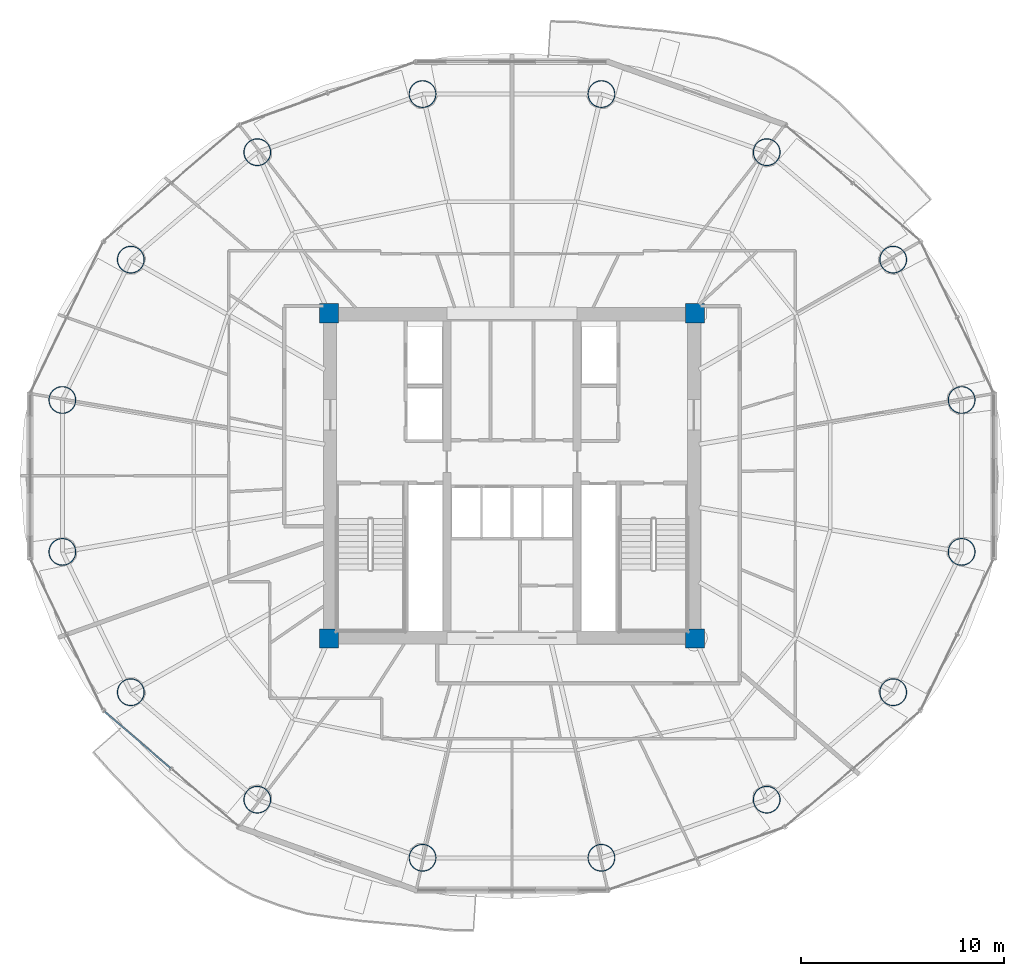
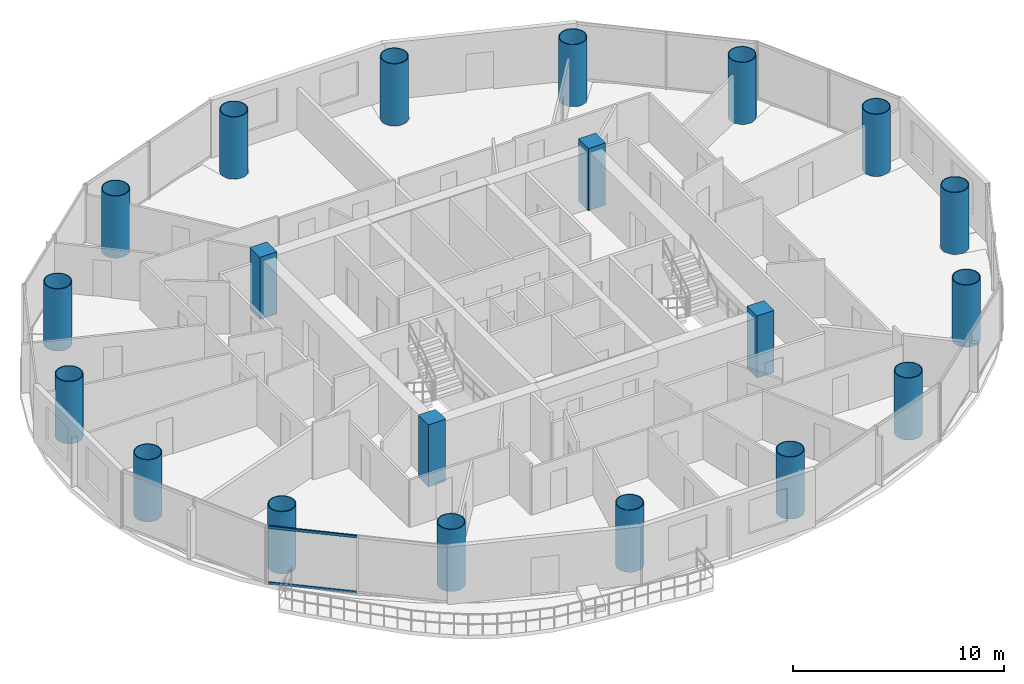
# One storey, part 1 of 27: 20 columns, 2 members, 1 element without a shape of its own.
"""IFC4 building model written with IfcOpenShell, lengths in metres."""

from ifc_helpers import new_model, si_unit, direction, frame, origin, origin_2d, place, context, subcontext, project, spatial, rectangle, hollow_rectangle, hollow_circle, extrude, source, transform, mapped, material, material_profile, profile_set, type_object, element, aggregate, save


model = new_model("IFC4")

# Units and contexts
model_context = context("Model", 3, precision=1e-05, world=origin(), true_north=direction((-0.2419218956, 0.970295726276)))
body_context = subcontext(model_context, "Body", "Model", "MODEL_VIEW")
ifc_project = project(units=[si_unit("LENGTHUNIT", "METRE"), si_unit("AREAUNIT", "SQUARE_METRE"), si_unit("VOLUMEUNIT", "CUBIC_METRE"), si_unit("PLANEANGLEUNIT", "RADIAN"), si_unit("MASSUNIT", "GRAM", prefix="KILO")], contexts=[model_context])

# Site, building, storey
site_placement = place(None, origin())
site = spatial("IfcSite", under=ifc_project, at=site_placement, CompositionType="ELEMENT")
building_placement = place(site_placement, origin())
building = spatial("IfcBuilding", under=site, at=building_placement, Name="Cobrevalo Terracotta Tower", CompositionType="ELEMENT")
storey_placement = place(building_placement, frame((0.0, 0.0, 149.800048828125)))
storey = spatial("IfcBuildingStorey", under=building, at=storey_placement, Name="L39", CompositionType="ELEMENT", Elevation=149.800048828125)

# Columns
ifc_material_1 = material(Name="Steel S355", Category="steel")
ifc_material_profile_1 = material_profile(ifc_material_1, hollow_circle(Radius=0.675048828125, WallThickness=0.0419921875, at=origin_2d()), Name="CHS 1350x42")
ifc_profile_set_1 = profile_set([ifc_material_profile_1], Name="Steel S355")
column_type_1 = type_object("IfcColumnType", Name="Structural Column CHS 1350x42 (Steel S355)", PredefinedType="COLUMN", material=ifc_profile_set_1)
for number, where, z_axis, x_axis, name in (
    (1, (60.11669921875, 30.535888671875, 0.0), (0.0, 0.0, 1.0), (1.0, 0.0, 0.0), "L39 composite megacolumn MC01"),
    (2, (56.749755859375, 37.439208984375, 0.0), (0.0, 0.0, 1.0), (1.0, 0.0, 0.0), "L39 composite megacolumn MC02"),
    (3, (50.528076171875, 42.72265625, 0.0), (0.0, 0.0, 1.0), (1.0, 0.0, 0.0), "L39 composite megacolumn MC03"),
    (4, (42.399169921875, 45.58203125, 0.0), (0.0, 0.0, 1.0), (1.0, 0.0, 0.0), "L39 composite megacolumn MC04"),
    (5, (33.600830078125, 45.58203125, 0.0), (0.0, 0.0, 1.0), (1.0, 0.0, 0.0), "L39 composite megacolumn MC05"),
    (6, (25.471923828125, 42.72265625, 0.0), (0.0, 0.0, 1.0), (1.0, 0.0, 0.0), "L39 composite megacolumn MC06"),
    (7, (19.250244140625, 37.439208984375, 0.0), (0.0, 0.0, 1.0), (1.0, 0.0, 0.0), "L39 composite megacolumn MC07"),
    (8, (15.88330078125, 30.535888671875, 0.0), (0.0, 0.0, 1.0), (1.0, 0.0, 0.0), "L39 composite megacolumn MC08"),
    (9, (15.88330078125, 23.06396484375, 0.0), (0.0, 0.0, 1.0), (1.0, 0.0, 0.0), "L39 composite megacolumn MC09"),
    (10, (19.250244140625, 16.160888671875, 0.0), (0.0, 0.0, 1.0), (1.0, 0.0, 0.0), "L39 composite megacolumn MC10"),
    (11, (25.471923828125, 10.87744140625, 0.0), (0.0, 0.0, 1.0), (1.0, 0.0, 0.0), "L39 composite megacolumn MC11"),
    (12, (33.600830078125, 8.01806640625, 0.0), (0.0, 0.0, 1.0), (1.0, 0.0, 0.0), "L39 composite megacolumn MC12"),
    (13, (42.399169921875, 8.01806640625, 0.0), (0.0, 0.0, 1.0), (1.0, 0.0, 0.0), "L39 composite megacolumn MC13"),
    (14, (50.528076171875, 10.87744140625, 0.0), (0.0, 0.0, 1.0), (1.0, 0.0, 0.0), "L39 composite megacolumn MC14"),
    (15, (56.749755859375, 16.160888671875, 0.0), (0.0, 0.0, 1.0), (1.0, 0.0, 0.0), "L39 composite megacolumn MC15"),
    (16, (60.11669921875, 23.06396484375, 0.0), (0.0, 0.0, 1.0), (1.0, 0.0, 0.0), "L39 composite megacolumn MC16"),
):
    element("IfcColumn", number, at=place(storey_placement, frame(where, z_axis=z_axis, x_axis=x_axis)), inside=storey, type_object=column_type_1, Name=name, PredefinedType="COLUMN", context=body_context, shape_type="SweptSolid", body=[
        extrude(hollow_circle(Radius=0.675048828125, WallThickness=0.0419921875, at=origin_2d()), origin(), (0.0, 0.0, 1.0), 3.599853515625),
    ])
ifc_material_2 = material(Name="Concrete C55", Category="concrete")
ifc_material_profile_2 = material_profile(ifc_material_2, rectangle(XDim=0.949951171875, YDim=0.949951171875, at=origin_2d()), Name="RC COL 950x950")
ifc_profile_set_2 = profile_set([ifc_material_profile_2], Name="Concrete C55")
column_type_2 = type_object("IfcColumnType", Name="Structural Column RC COL 950x950 (Concrete C55)", PredefinedType="COLUMN", material=ifc_profile_set_2)
for number, where, z_axis, x_axis, name in (
    (17, (29.0, 18.800048828125, 0.0), (0.0, 0.0, 1.0), (1.0, 0.0, 0.0), "L39 core corner column CC1"),
    (18, (47.0, 18.800048828125, 0.0), (0.0, 0.0, 1.0), (1.0, 0.0, 0.0), "L39 core corner column CC2"),
    (19, (47.0, 34.800048828125, 0.0), (0.0, 0.0, 1.0), (1.0, 0.0, 0.0), "L39 core corner column CC3"),
    (20, (29.0, 34.800048828125, 0.0), (0.0, 0.0, 1.0), (1.0, 0.0, 0.0), "L39 core corner column CC4"),
):
    element("IfcColumn", number, at=place(storey_placement, frame(where, z_axis=z_axis, x_axis=x_axis)), inside=storey, type_object=column_type_2, Name=name, PredefinedType="COLUMN", context=body_context, shape_type="SweptSolid", body=[
        extrude(rectangle(XDim=0.949951171875, YDim=0.949951171875, at=origin_2d()), origin(), (0.0, 0.0, 1.0), 3.599853515625),
    ])

# Curtain wall, members
ifc_material_3 = material(Name="Anodized aluminium", Category="aluminium")
curtain_wall_type = type_object("IfcCurtainWallType", Name="Mid-tower high-wind unitised curtain wall CW-U2", PredefinedType="NOTDEFINED", material=ifc_material_3)
curtain_wall_placement = place(storey_placement, origin())
curtain_wall = element("IfcCurtainWall", 21, at=curtain_wall_placement, inside=storey, type_object=curtain_wall_type, Name="L39 curtain wall CW-L39-S10", PredefinedType="NOTDEFINED")
ifc_material_profile_3 = material_profile(ifc_material_3, hollow_rectangle(XDim=0.074951171875, YDim=0.14990234375, WallThickness=0.00439453125, at=origin_2d()), Name="CWT 75x150")
ifc_profile_set_3 = profile_set([ifc_material_profile_3], Name="Anodized aluminium")
member_type = type_object("IfcMemberType", Name="Tower unitised aluminium transom 75x150", PredefinedType="USERDEFINED", material=ifc_profile_set_3)
shared_shape = source(origin(), body_context, "Body", "SweptSolid", [
    extrude(hollow_rectangle(XDim=0.074951171875, YDim=0.14990234375, WallThickness=0.00439453125, at=origin_2d()), origin(), (0.0, 0.0, 1.0), 4.276123046875),
])
member_1_placement = place(storey_placement, frame((17.964111328125, 15.208740234375, 0.050048828125), z_axis=(0.758417719247, -0.651768795764, 0.0), x_axis=(0.651768795764, 0.758417719247, 0.0)))
member_1 = element("IfcMember", 22, at=member_1_placement, type_object=member_type, Name="CW-L39-S10 transom B01-T1", ObjectType="TRANSOM", PredefinedType="USERDEFINED", context=body_context, shape_type="MappedRepresentation", body=[
    mapped(shared_shape, transform((0.0, 0.0, 0.0), scale=1.0)),
])
member_2_placement = place(storey_placement, frame((17.964111328125, 15.208740234375, 3.280029296875), z_axis=(0.758417719247, -0.651768795764, 0.0), x_axis=(0.651768795764, 0.758417719247, 0.0)))
member_2 = element("IfcMember", 23, at=member_2_placement, type_object=member_type, Name="CW-L39-S10 transom B01-T2", ObjectType="TRANSOM", PredefinedType="USERDEFINED", context=body_context, shape_type="MappedRepresentation", body=[
    mapped(shared_shape, transform((0.0, 0.0, 0.0), scale=1.0)),
])
aggregate(curtain_wall, [member_1, member_2])

save(model, "model.ifc")
